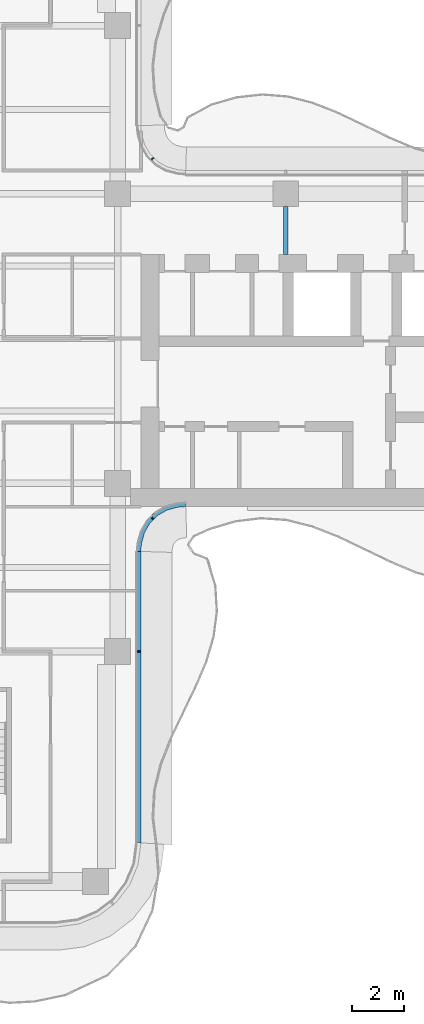
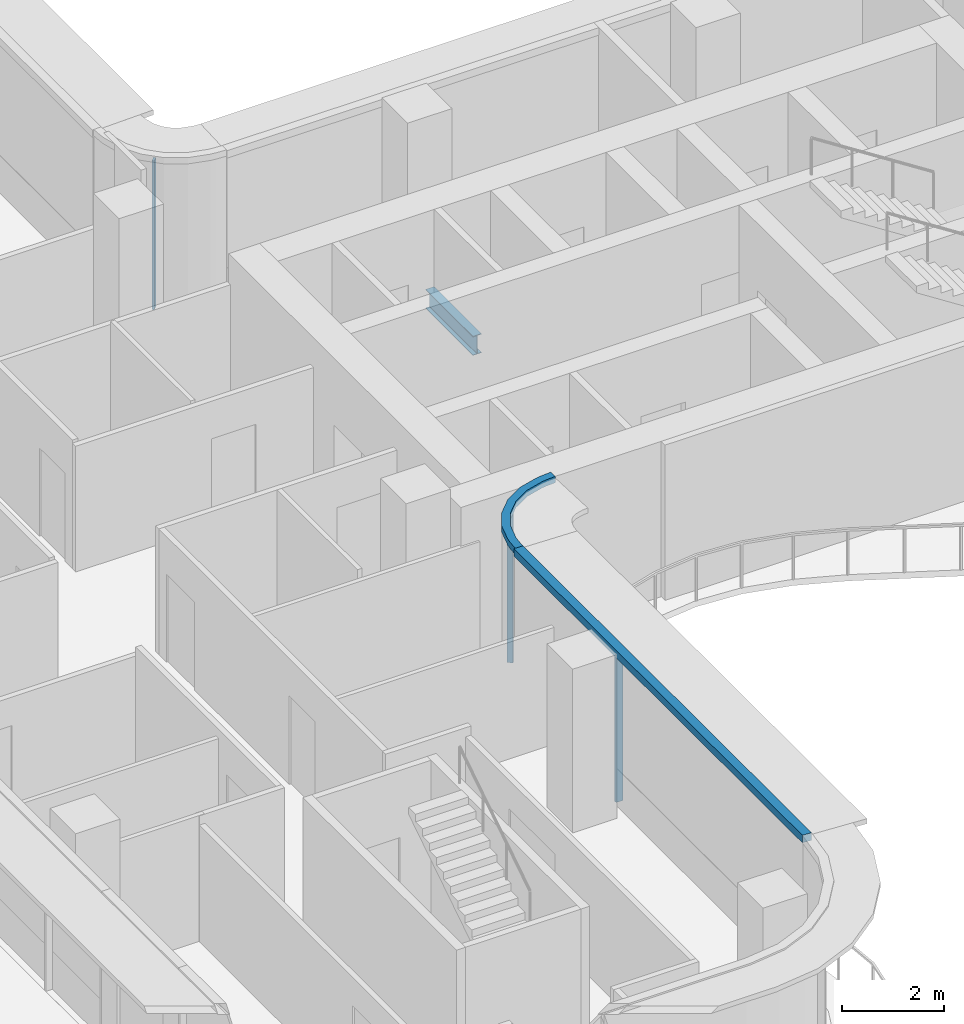
# One storey, part 5 of 16: 5 members, 1 beam, 3 elements without a shape of their own.
"""IFC4 building model written with IfcOpenShell, lengths in metres."""

from ifc_helpers import new_model, si_unit, direction, frame, origin, origin_2d, place, context, subcontext, project, spatial, polyline, rectangle, i_section, outline, extrude, source, transform, mapped, material, layer, layer_set, material_profile, profile_set, type_object, element, aggregate, save


model = new_model("IFC4")

# Units and contexts
model_context = context("Model", 3, precision=1e-05, world=origin(), true_north=direction((0.0, 1.0)))
body_context = subcontext(model_context, "Body", "Model", "MODEL_VIEW")
ifc_project = project(units=[si_unit("LENGTHUNIT", "METRE"), si_unit("AREAUNIT", "SQUARE_METRE"), si_unit("VOLUMEUNIT", "CUBIC_METRE"), si_unit("PLANEANGLEUNIT", "RADIAN"), si_unit("MASSUNIT", "GRAM", prefix="KILO")], contexts=[model_context])

# Site, building, storey
site_placement = place(None, origin())
site = spatial("IfcSite", under=ifc_project, at=site_placement, CompositionType="ELEMENT")
building_placement = place(site_placement, origin())
building = spatial("IfcBuilding", under=site, at=building_placement, Name="Trellis Farm Tower", CompositionType="ELEMENT")
storey_placement = place(building_placement, frame((0.0, 0.0, 310.60009765625)))
storey = spatial("IfcBuildingStorey", under=building, at=storey_placement, Name="L70", CompositionType="ELEMENT", Elevation=310.60009765625)

# Beam
ifc_material_1 = material(Name="Steel S355", Category="steel")
ifc_material_profile_1 = material_profile(ifc_material_1, i_section(OverallWidth=0.1904296875, OverallDepth=0.45703125, WebThickness=0.009033203125, FlangeThickness=0.014404296875, FilletRadius=0.01025390625, at=origin_2d()), Name="UB 457x191x74")
ifc_profile_set_1 = profile_set([ifc_material_profile_1], Name="Steel S355")
beam_type = type_object("IfcBeamType", Name="UB 457x191x74", PredefinedType="BEAM", material=ifc_profile_set_1)
shared_shape_1 = source(origin(), body_context, "Body", "SweptSolid", [
    extrude(i_section(OverallWidth=0.1904296875, OverallDepth=0.45703125, WebThickness=0.009033203125, FlangeThickness=0.014404296875, FilletRadius=0.01025390625, at=origin_2d()), origin(), (0.0, 0.0, 1.0), 1.85009765625),
])
beam_placement = place(storey_placement, frame((12.10009765625, 3.25, -0.4287109375), z_axis=(0.0, 1.0, 0.0), x_axis=(-1.0, 0.0, 0.0)))
element("IfcBeam", 1, at=beam_placement, inside=storey, type_object=beam_type, Name="Girder", PredefinedType="BEAM", context=body_context, shape_type="MappedRepresentation", body=[
    mapped(shared_shape_1, transform((0.0, 0.0, 0.0))),
])

# Curtain wall, member
ifc_material_2 = material(Name="Aluminium and glass curtain wall", Category="aluminium")
ifc_layer_1 = layer(ifc_material_2, 0.18994140625)
ifc_layer_set_1 = layer_set([ifc_layer_1], Name="RIBBON CURTAIN WALL CW1")
curtain_wall_type_1 = type_object("IfcCurtainWallType", Name="RIBBON CURTAIN WALL CW1", PredefinedType="NOTDEFINED", material=ifc_layer_set_1)
placement = place(storey_placement, origin())
curtain_wall_1 = element("IfcCurtainWall", 2, at=placement, inside=storey, type_object=curtain_wall_type_1, Name="CW1 005", PredefinedType="NOTDEFINED")
ifc_material_3 = material(Name="Aluminium extrusion 6063-T6", Category="aluminium")
ifc_material_profile_2 = material_profile(ifc_material_3, rectangle(XDim=0.06005859375, YDim=0.14990234375, at=origin_2d()), Name="MULLION 60x150")
ifc_profile_set_2 = profile_set([ifc_material_profile_2], Name="Aluminium extrusion 6063-T6")
member_type_1 = type_object("IfcMemberType", Name="CW1 MULLION 60x150", PredefinedType="MULLION", material=ifc_profile_set_2)
shared_shape_2 = source(origin(), body_context, "Body", "SweptSolid", [
    extrude(rectangle(XDim=0.06005859375, YDim=0.14990234375, at=origin_2d()), origin(), (0.0, 0.0, 1.0), 3.52001953125),
])
member_1_placement = place(storey_placement, frame((6.425048828125, -12.10009765625, 0.0), z_axis=(0.0, 0.0, 1.0), x_axis=(0.0, 1.0, 0.0)))
member_1 = element("IfcMember", 3, at=member_1_placement, type_object=member_type_1, Name="MU1 005-01", PredefinedType="MULLION", context=body_context, shape_type="MappedRepresentation", body=[
    mapped(shared_shape_2, transform((0.0, 0.0, 0.0))),
])

ifc_layer_2 = layer(ifc_material_2, 0.166015625)
ifc_layer_set_2 = layer_set([ifc_layer_2], Name="WINTER GARDEN CURTAIN WALL CW3")
curtain_wall_type_2 = type_object("IfcCurtainWallType", Name="WINTER GARDEN CURTAIN WALL CW3", PredefinedType="NOTDEFINED", material=ifc_layer_set_2)
curtain_wall_2 = element("IfcCurtainWall", 4, at=placement, inside=storey, type_object=curtain_wall_type_2, Name="CW3 002", PredefinedType="NOTDEFINED")
ifc_material_profile_3 = material_profile(ifc_material_3, rectangle(XDim=0.050048828125, YDim=0.1201171875, at=origin_2d()), Name="MULLION 50x120")
ifc_profile_set_3 = profile_set([ifc_material_profile_3], Name="Aluminium extrusion 6063-T6")
member_type_2 = type_object("IfcMemberType", Name="CW3 MULLION 50x120", PredefinedType="MULLION", material=ifc_profile_set_3)
shared_shape_3 = source(origin(), body_context, "Body", "SweptSolid", [
    extrude(rectangle(XDim=0.050048828125, YDim=0.1201171875, at=origin_2d()), origin(), (0.0, 0.0, 1.0), 3.5498046875),
])
member_2_placement = place(storey_placement, frame((6.953125, -6.953125, 0.0), z_axis=(0.0, 0.0, 1.0), x_axis=(0.707106781187, 0.707106781187, 0.0)))
member_2 = element("IfcMember", 5, at=member_2_placement, type_object=member_type_2, Name="MU3 002-01", PredefinedType="MULLION", context=body_context, shape_type="MappedRepresentation", body=[
    mapped(shared_shape_3, transform((0.0, 0.0, 0.0))),
])

curtain_wall_3 = element("IfcCurtainWall", 6, at=placement, inside=storey, type_object=curtain_wall_type_2, Name="CW3 003", PredefinedType="NOTDEFINED")
member_3_placement = place(storey_placement, frame((6.953125, 6.953125, 0.0), z_axis=(0.0, 0.0, 1.0), x_axis=(-0.707106781187, 0.707106781187, 0.0)))
member_3 = element("IfcMember", 7, at=member_3_placement, type_object=member_type_2, Name="MU3 003-01", PredefinedType="MULLION", context=body_context, shape_type="MappedRepresentation", body=[
    mapped(shared_shape_3, transform((0.0, 0.0, 0.0))),
])
aggregate(curtain_wall_3, [member_3])

# Member
ifc_layer_3 = layer(ifc_material_3, 0.169921875)
ifc_layer_set_3 = layer_set([ifc_layer_3], Name="Aluminium extrusion 6063-T6")
member_type_3 = type_object("IfcMemberType", Name="CW3 TRANSOM 170x150", PredefinedType="USERDEFINED", material=ifc_layer_set_3)
shared_shape_4 = source(origin(), body_context, "Body", "SweptSolid", [
    extrude(outline(polyline([(6.5, -8.2314453125), (6.513916015625, -8.01953125), (6.527587890625, -7.91552734375), (6.63671875, -7.508544921875), (6.846923828125, -7.144287109375), (7.144287109375, -6.846923828125), (7.508544921875, -6.63671875), (7.91552734375, -6.527587890625), (8.01953125, -6.513916015625), (8.2314453125, -6.5), (8.225830078125, -6.330078125), (8.0029296875, -6.3447265625), (7.88232421875, -6.360595703125), (7.44287109375, -6.478271484375), (7.0400390625, -6.7109375), (6.7109375, -7.0400390625), (6.478271484375, -7.44287109375), (6.360595703125, -7.88232421875), (6.3447265625, -8.0029296875), (6.330078125, -8.225830078125), (6.5, -8.2314453125)])), origin(), (0.0, 0.0, 1.0), 0.150146484375),
])
member_4_placement = place(storey_placement, frame((0.0, 0.0, 3.5498046875)))
member_4 = element("IfcMember", 8, at=member_4_placement, type_object=member_type_3, Name="TR3 002", ObjectType="TRANSOM", PredefinedType="USERDEFINED", context=body_context, shape_type="MappedRepresentation", body=[
    mapped(shared_shape_4, transform((0.0, 0.0, 0.0))),
])

aggregate(curtain_wall_2, [member_2, member_4])

ifc_layer_4 = layer(ifc_material_3, 0.199951171875)
ifc_layer_set_4 = layer_set([ifc_layer_4], Name="Aluminium extrusion 6063-T6")
member_type_4 = type_object("IfcMemberType", Name="CW1 TRANSOM 200x180", PredefinedType="USERDEFINED", material=ifc_layer_set_4)
shared_shape_5 = source(origin(), body_context, "Body", "SweptSolid", [
    extrude(outline(polyline([(6.5, -19.5), (6.5, -8.2314453125), (6.300048828125, -8.224853515625), (6.300048828125, -19.48681640625), (6.5, -19.5)])), origin(), (0.0, 0.0, 1.0), 0.179931640625),
])
member_5_placement = place(storey_placement, frame((0.0, 0.0, 3.52001953125)))
member_5 = element("IfcMember", 9, at=member_5_placement, type_object=member_type_4, Name="TR1 005", ObjectType="TRANSOM", PredefinedType="USERDEFINED", context=body_context, shape_type="MappedRepresentation", body=[
    mapped(shared_shape_5, transform((0.0, 0.0, 0.0))),
])

aggregate(curtain_wall_1, [member_1, member_5])

save(model, "model.ifc")
